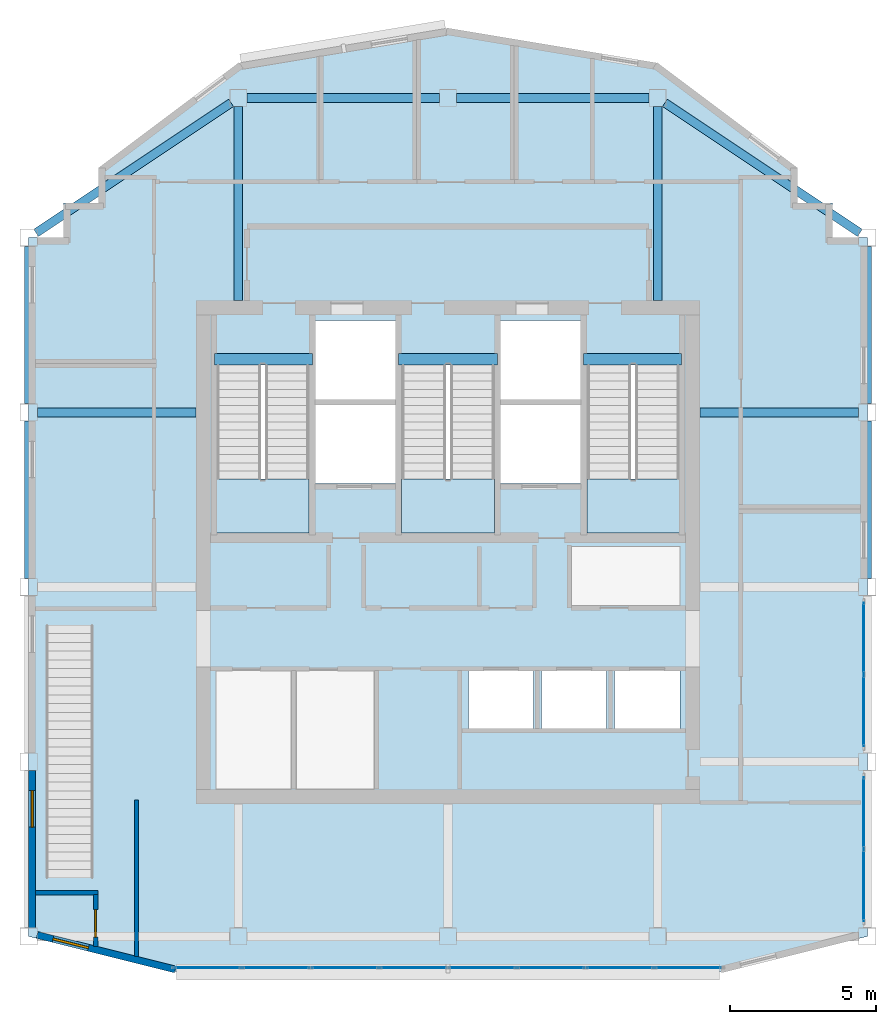
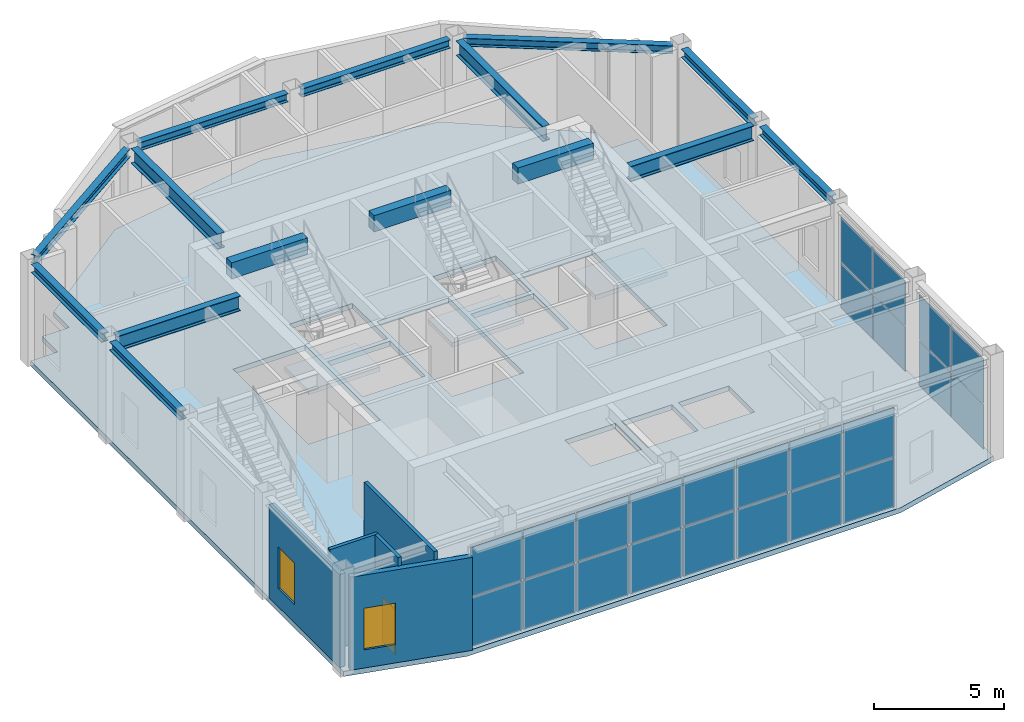
# One storey, part 6 of 11: 24 plates, 15 beams, 5 walls, 4 slabs, 2 windows, 1 door, 3 openings, 6 elements without a shape of their own.
"""IFC4 building model written with IfcOpenShell, lengths in metres."""

from ifc_helpers import new_model, si_unit, direction, frame, frame_2d, origin, origin_2d, place, context, subcontext, project, spatial, polyline, rectangle, i_section, outline, extrude, material, layer, layer_set, material_profile, profile_set, type_object, element, fill, aggregate, save


model = new_model("IFC4")

# Units and contexts
model_context = context("Model", 3, precision=1e-05, world=origin(), true_north=direction((0.0, 1.0)))
body_context = subcontext(model_context, "Body", "Model", "MODEL_VIEW")
ifc_project = project(units=[si_unit("LENGTHUNIT", "METRE"), si_unit("AREAUNIT", "SQUARE_METRE"), si_unit("VOLUMEUNIT", "CUBIC_METRE"), si_unit("PLANEANGLEUNIT", "RADIAN"), si_unit("MASSUNIT", "GRAM", prefix="KILO")], contexts=[model_context])

# Site, building, storey
site_placement = place(None, origin())
site = spatial("IfcSite", under=ifc_project, at=site_placement, CompositionType="ELEMENT")
building_placement = place(site_placement, origin())
building = spatial("IfcBuilding", under=site, at=building_placement, Name="Haolan Belvedere Tower", CompositionType="ELEMENT")
storey_placement = place(building_placement, frame((0.0, 0.0, 318.199951171875)))
storey = spatial("IfcBuildingStorey", under=building, at=storey_placement, Name="L80", CompositionType="ELEMENT", Elevation=318.199951171875)

# Beams
ifc_material_1 = material(Name="Steel Q355B", Category="steel")
ifc_material_profile_1 = material_profile(ifc_material_1, i_section(OverallWidth=0.300048828125, OverallDepth=0.389892578125, WebThickness=0.010009765625, FlangeThickness=0.01611328125, FilletRadius=0.02197265625, at=origin_2d()), Name="Steel Q355B")
ifc_profile_set_1 = profile_set([ifc_material_profile_1], Name="Steel Q355B")
beam_type_1 = type_object("IfcBeamType", Name="BM-HM390x300x10x16", PredefinedType="SPANDREL", material=ifc_profile_set_1)
for number, where, z_axis, x_axis, name in (
    (1, (24.0, 33.89990234375, 4.56494140625), (0.0, 1.0, 0.0), (-1.0, 0.0, 0.0), "L80 spandrel girder MC-T3-MW-TC-T3-W2"),
    (2, (24.0, 39.89990234375, 4.56494140625), (0.0, 1.0, 0.0), (-1.0, 0.0, 0.0), "L80 spandrel girder TC-T3-W2-MC-T3-NW"),
    (3, (52.800048828125, 33.89990234375, 4.56494140625), (0.0, 1.0, 0.0), (-1.0, 0.0, 0.0), "L80 spandrel girder MC-T3-ME-TC-T3-E2"),
    (4, (52.800048828125, 39.89990234375, 4.56494140625), (0.0, 1.0, 0.0), (-1.0, 0.0, 0.0), "L80 spandrel girder TC-T3-E2-MC-T3-NE"),
):
    element("IfcBeam", number, at=place(storey_placement, frame(where, z_axis=z_axis, x_axis=x_axis)), inside=storey, type_object=beam_type_1, Name=name, PredefinedType="SPANDREL", context=body_context, shape_type="SweptSolid", body=[
        extrude(i_section(OverallWidth=0.300048828125, OverallDepth=0.389892578125, WebThickness=0.010009765625, FlangeThickness=0.01611328125, FilletRadius=0.02197265625, at=origin_2d()), origin(), (0.0, 0.0, 1.0), 5.400146484375),
    ])
beam_1_placement = place(storey_placement, frame((24.24951171875, 45.766357421875, 4.56494140625), z_axis=(0.832050294338, 0.554700196225, 0.0), x_axis=(-0.554700196225, 0.832050294338, 0.0)))
element("IfcBeam", 5, at=beam_1_placement, inside=storey, type_object=beam_type_1, Name="L80 spandrel girder MC-T3-NW-MC-T3-N1", PredefinedType="SPANDREL", context=body_context, shape_type="SweptSolid", body=[
    extrude(i_section(OverallWidth=0.300048828125, OverallDepth=0.389892578125, WebThickness=0.010009765625, FlangeThickness=0.01611328125, FilletRadius=0.02197265625, at=origin_2d()), origin(), (0.0, 0.0, 1.0), 8.053466796875),
])
for number, where, z_axis, x_axis, name in (
    (6, (31.5, 50.39990234375, 4.56494140625), (1.0, 0.0, 0.0), (0.0, 1.0, 0.0), "L80 spandrel girder MC-T3-N1-TC-T3-NM"),
    (7, (38.699951171875, 50.39990234375, 4.56494140625), (1.0, 0.0, 0.0), (0.0, 1.0, 0.0), "L80 spandrel girder TC-T3-NM-MC-T3-N2"),
):
    element("IfcBeam", number, at=place(storey_placement, frame(where, z_axis=z_axis, x_axis=x_axis)), inside=storey, type_object=beam_type_1, Name=name, PredefinedType="SPANDREL", context=body_context, shape_type="SweptSolid", body=[
        extrude(i_section(OverallWidth=0.300048828125, OverallDepth=0.389892578125, WebThickness=0.010009765625, FlangeThickness=0.01611328125, FilletRadius=0.02197265625, at=origin_2d()), origin(), (0.0, 0.0, 1.0), 6.60009765625),
    ])
beam_2_placement = place(storey_placement, frame((45.849609375, 50.233642578125, 4.56494140625), z_axis=(0.832040966354, -0.554714187946, 0.0), x_axis=(0.554714187946, 0.832040966354, 0.0)))
element("IfcBeam", 8, at=beam_2_placement, inside=storey, type_object=beam_type_1, Name="L80 spandrel girder MC-T3-N2-MC-T3-NE", PredefinedType="SPANDREL", context=body_context, shape_type="SweptSolid", body=[
    extrude(i_section(OverallWidth=0.300048828125, OverallDepth=0.389892578125, WebThickness=0.010009765625, FlangeThickness=0.01611328125, FilletRadius=0.02197265625, at=origin_2d()), origin(), (0.0, 0.0, 1.0), 8.05322265625),
])
ifc_material_profile_2 = material_profile(ifc_material_1, i_section(OverallWidth=0.300048828125, OverallDepth=0.699951171875, WebThickness=0.012939453125, FlangeThickness=0.02392578125, FilletRadius=0.02587890625, at=origin_2d()), Name="Steel Q355B")
ifc_profile_set_2 = profile_set([ifc_material_profile_2], Name="Steel Q355B")
beam_type_2 = type_object("IfcBeamType", Name="BM-HN700x300x13x24", PredefinedType="BEAM", material=ifc_profile_set_2)
for number, where, z_axis, x_axis, name in (
    (9, (24.300048828125, 39.60009765625, 4.41015625), (1.0, 0.0, 0.0), (0.0, 1.0, 0.0), "L80 core tie beam from TC-T3-W2"),
    (10, (52.5, 39.60009765625, 4.41015625), (-1.0, 0.0, 0.0), (0.0, -1.0, 0.0), "L80 core tie beam from TC-T3-E2"),
):
    element("IfcBeam", number, at=place(storey_placement, frame(where, z_axis=z_axis, x_axis=x_axis)), inside=storey, type_object=beam_type_2, Name=name, PredefinedType="BEAM", context=body_context, shape_type="SweptSolid", body=[
        extrude(i_section(OverallWidth=0.300048828125, OverallDepth=0.699951171875, WebThickness=0.012939453125, FlangeThickness=0.02392578125, FilletRadius=0.02587890625, at=origin_2d()), origin(), (0.0, 0.0, 1.0), 5.449951171875),
    ])
for number, where, z_axis, x_axis, name in (
    (11, (31.199951171875, 50.10009765625, 4.41015625), (0.0, -1.0, 0.0), (1.0, 0.0, 0.0), "L80 core tie beam from MC-T3-N1"),
    (12, (45.60009765625, 50.10009765625, 4.41015625), (0.0, -1.0, 0.0), (1.0, 0.0, 0.0), "L80 core tie beam from MC-T3-N2"),
):
    element("IfcBeam", number, at=place(storey_placement, frame(where, z_axis=z_axis, x_axis=x_axis)), inside=storey, type_object=beam_type_2, Name=name, PredefinedType="BEAM", context=body_context, shape_type="SweptSolid", body=[
        extrude(i_section(OverallWidth=0.300048828125, OverallDepth=0.699951171875, WebThickness=0.012939453125, FlangeThickness=0.02392578125, FilletRadius=0.02587890625, at=origin_2d()), origin(), (0.0, 0.0, 1.0), 6.650146484375),
    ])
ifc_material_2 = material(Name="Concrete C50/60", Category="concrete")
ifc_material_profile_3 = material_profile(ifc_material_2, rectangle(XDim=0.39990234375, YDim=0.75, at=origin_2d()), Name="Concrete C50/60")
ifc_profile_set_3 = profile_set([ifc_material_profile_3], Name="Concrete C50/60")
beam_type_3 = type_object("IfcBeamType", Name="BM-RC400x750", PredefinedType="T_BEAM", material=ifc_profile_set_3)
beam_3_placement = place(storey_placement, frame((30.3798828125, 41.429931640625, 4.625), z_axis=(1.0, 0.0, 0.0), x_axis=(0.0, 1.0, 0.0)))
element("IfcBeam", 13, at=beam_3_placement, inside=storey, type_object=beam_type_3, Name="L81 stair ST1 RC header trimmer beam", PredefinedType="BEAM", context=body_context, shape_type="SweptSolid", body=[
    extrude(rectangle(XDim=0.39990234375, YDim=0.75, at=origin_2d()), origin(), (0.0, 0.0, 1.0), 3.360107421875),
])
beam_4_placement = place(storey_placement, frame((36.699951171875, 41.429931640625, 4.625), z_axis=(1.0, 0.0, 0.0), x_axis=(0.0, 1.0, 0.0)))
element("IfcBeam", 14, at=beam_4_placement, inside=storey, type_object=beam_type_3, Name="L81 stair ST3 RC header trimmer beam", PredefinedType="BEAM", context=body_context, shape_type="SweptSolid", body=[
    extrude(rectangle(XDim=0.39990234375, YDim=0.75, at=origin_2d()), origin(), (0.0, 0.0, 1.0), 3.400146484375),
])
beam_5_placement = place(storey_placement, frame((43.06005859375, 41.429931640625, 4.625), z_axis=(1.0, 0.0, 0.0), x_axis=(0.0, 1.0, 0.0)))
element("IfcBeam", 15, at=beam_5_placement, inside=storey, type_object=beam_type_3, Name="L81 stair ST2 RC header trimmer beam", PredefinedType="BEAM", context=body_context, shape_type="SweptSolid", body=[
    extrude(rectangle(XDim=0.39990234375, YDim=0.75, at=origin_2d()), origin(), (0.0, 0.0, 1.0), 3.35986328125),
])

# Curtain wall, plates
ifc_material_3 = material(Name="Anodised champagne-silver aluminium 6063-T6 and Low-E glass", Category="aluminium")
ifc_layer_1 = layer(ifc_material_3, 0.195068359375, Name="Anodised champagne-silver aluminium 6063-T6 and Low-E glass")
ifc_layer_set_1 = layer_set([ifc_layer_1], Name="Anodised champagne-silver aluminium 6063-T6 and Low-E glass")
curtain_wall_type = type_object("IfcCurtainWallType", Name="CW-SYS-06", PredefinedType="NOTDEFINED", material=ifc_layer_set_1)
curtain_wall_1_placement = place(storey_placement, origin())
curtain_wall_1 = element("IfcCurtainWall", 16, at=curtain_wall_1_placement, inside=storey, type_object=curtain_wall_type, Name="L80 CW-SYS-06 ribbon curtain wall 1.1", PredefinedType="NOTDEFINED")
ifc_material_4 = material(Name="Double silver Low-E laminated insulating glass", Category="glass")
ifc_layer_2 = layer(ifc_material_4, 0.031982421875, Name="Double silver Low-E laminated insulating glass")
ifc_layer_set_2 = layer_set([ifc_layer_2], Name="Double silver Low-E laminated insulating glass")
plate_type = type_object("IfcPlateType", Name="CW-SYS-06-PNL", PredefinedType="CURTAIN_PANEL", material=ifc_layer_set_2)
plate_1_placement = place(storey_placement, frame((30.15283203125, 20.52001953125, 0.06494140625), z_axis=(0.0, 0.0, 1.0), x_axis=(1.0, 0.0, 0.0)))
plate_1 = element("IfcPlate", 17, at=plate_1_placement, type_object=plate_type, Name="CW-06 panel 1.1", PredefinedType="CURTAIN_PANEL", context=body_context, shape_type="SweptSolid", body=[
    extrude(rectangle(XDim=2.25634765625, YDim=0.031982421875, at=origin_2d()), origin(), (0.0, 0.0, 1.0), 2.282470703125),
])
plate_2_placement = place(storey_placement, frame((30.15283203125, 20.52001953125, 2.41259765625), z_axis=(0.0, 0.0, 1.0), x_axis=(1.0, 0.0, 0.0)))
plate_2 = element("IfcPlate", 18, at=plate_2_placement, type_object=plate_type, Name="CW-06 panel 1.2", PredefinedType="CURTAIN_PANEL", context=body_context, shape_type="SweptSolid", body=[
    extrude(rectangle(XDim=2.25634765625, YDim=0.031982421875, at=origin_2d()), origin(), (0.0, 0.0, 1.0), 2.282470703125),
])
plate_3_placement = place(storey_placement, frame((32.496826171875, 20.52001953125, 0.06494140625), z_axis=(0.0, 0.0, 1.0), x_axis=(1.0, 0.0, 0.0)))
plate_3 = element("IfcPlate", 19, at=plate_3_placement, type_object=plate_type, Name="CW-06 panel 2.1", PredefinedType="CURTAIN_PANEL", context=body_context, shape_type="SweptSolid", body=[
    extrude(rectangle(XDim=2.291259765625, YDim=0.031982421875, at=origin_2d()), origin(), (0.0, 0.0, 1.0), 2.282470703125),
])
plate_4_placement = place(storey_placement, frame((32.496826171875, 20.52001953125, 2.41259765625), z_axis=(0.0, 0.0, 1.0), x_axis=(1.0, 0.0, 0.0)))
plate_4 = element("IfcPlate", 20, at=plate_4_placement, type_object=plate_type, Name="CW-06 panel 2.2", PredefinedType="CURTAIN_PANEL", context=body_context, shape_type="SweptSolid", body=[
    extrude(rectangle(XDim=2.291259765625, YDim=0.031982421875, at=origin_2d()), origin(), (0.0, 0.0, 1.0), 2.282470703125),
])
plate_5_placement = place(storey_placement, frame((34.858154296875, 20.52001953125, 0.06494140625), z_axis=(0.0, 0.0, 1.0), x_axis=(1.0, 0.0, 0.0)))
plate_5 = element("IfcPlate", 21, at=plate_5_placement, type_object=plate_type, Name="CW-06 panel 3.1", PredefinedType="CURTAIN_PANEL", context=body_context, shape_type="SweptSolid", body=[
    extrude(rectangle(XDim=2.291259765625, YDim=0.031982421875, at=origin_2d()), origin(), (0.0, 0.0, 1.0), 2.282470703125),
])
plate_6_placement = place(storey_placement, frame((34.858154296875, 20.52001953125, 2.41259765625), z_axis=(0.0, 0.0, 1.0), x_axis=(1.0, 0.0, 0.0)))
plate_6 = element("IfcPlate", 22, at=plate_6_placement, type_object=plate_type, Name="CW-06 panel 3.2", PredefinedType="CURTAIN_PANEL", context=body_context, shape_type="SweptSolid", body=[
    extrude(rectangle(XDim=2.291259765625, YDim=0.031982421875, at=origin_2d()), origin(), (0.0, 0.0, 1.0), 2.282470703125),
])
plate_7_placement = place(storey_placement, frame((37.21923828125, 20.52001953125, 0.06494140625), z_axis=(0.0, 0.0, 1.0), x_axis=(1.0, 0.0, 0.0)))
plate_7 = element("IfcPlate", 23, at=plate_7_placement, type_object=plate_type, Name="CW-06 panel 4.1", PredefinedType="CURTAIN_PANEL", context=body_context, shape_type="SweptSolid", body=[
    extrude(rectangle(XDim=2.291259765625, YDim=0.031982421875, at=origin_2d()), origin(), (0.0, 0.0, 1.0), 2.282470703125),
])
plate_8_placement = place(storey_placement, frame((37.21923828125, 20.52001953125, 2.41259765625), z_axis=(0.0, 0.0, 1.0), x_axis=(1.0, 0.0, 0.0)))
plate_8 = element("IfcPlate", 24, at=plate_8_placement, type_object=plate_type, Name="CW-06 panel 4.2", PredefinedType="CURTAIN_PANEL", context=body_context, shape_type="SweptSolid", body=[
    extrude(rectangle(XDim=2.291259765625, YDim=0.031982421875, at=origin_2d()), origin(), (0.0, 0.0, 1.0), 2.282470703125),
])
plate_9_placement = place(storey_placement, frame((39.58056640625, 20.52001953125, 0.06494140625), z_axis=(0.0, 0.0, 1.0), x_axis=(1.0, 0.0, 0.0)))
plate_9 = element("IfcPlate", 25, at=plate_9_placement, type_object=plate_type, Name="CW-06 panel 5.1", PredefinedType="CURTAIN_PANEL", context=body_context, shape_type="SweptSolid", body=[
    extrude(rectangle(XDim=2.291259765625, YDim=0.031982421875, at=origin_2d()), origin(), (0.0, 0.0, 1.0), 2.282470703125),
])
plate_10_placement = place(storey_placement, frame((39.58056640625, 20.52001953125, 2.41259765625), z_axis=(0.0, 0.0, 1.0), x_axis=(1.0, 0.0, 0.0)))
plate_10 = element("IfcPlate", 26, at=plate_10_placement, type_object=plate_type, Name="CW-06 panel 5.2", PredefinedType="CURTAIN_PANEL", context=body_context, shape_type="SweptSolid", body=[
    extrude(rectangle(XDim=2.291259765625, YDim=0.031982421875, at=origin_2d()), origin(), (0.0, 0.0, 1.0), 2.282470703125),
])
plate_11_placement = place(storey_placement, frame((41.94189453125, 20.52001953125, 0.06494140625), z_axis=(0.0, 0.0, 1.0), x_axis=(1.0, 0.0, 0.0)))
plate_11 = element("IfcPlate", 27, at=plate_11_placement, type_object=plate_type, Name="CW-06 panel 6.1", PredefinedType="CURTAIN_PANEL", context=body_context, shape_type="SweptSolid", body=[
    extrude(rectangle(XDim=2.291259765625, YDim=0.031982421875, at=origin_2d()), origin(), (0.0, 0.0, 1.0), 2.282470703125),
])
plate_12_placement = place(storey_placement, frame((41.94189453125, 20.52001953125, 2.41259765625), z_axis=(0.0, 0.0, 1.0), x_axis=(1.0, 0.0, 0.0)))
plate_12 = element("IfcPlate", 28, at=plate_12_placement, type_object=plate_type, Name="CW-06 panel 6.2", PredefinedType="CURTAIN_PANEL", context=body_context, shape_type="SweptSolid", body=[
    extrude(rectangle(XDim=2.291259765625, YDim=0.031982421875, at=origin_2d()), origin(), (0.0, 0.0, 1.0), 2.282470703125),
])
plate_13_placement = place(storey_placement, frame((44.30322265625, 20.52001953125, 0.06494140625), z_axis=(0.0, 0.0, 1.0), x_axis=(1.0, 0.0, 0.0)))
plate_13 = element("IfcPlate", 29, at=plate_13_placement, type_object=plate_type, Name="CW-06 panel 7.1", PredefinedType="CURTAIN_PANEL", context=body_context, shape_type="SweptSolid", body=[
    extrude(rectangle(XDim=2.291259765625, YDim=0.031982421875, at=origin_2d()), origin(), (0.0, 0.0, 1.0), 2.282470703125),
])
plate_14_placement = place(storey_placement, frame((44.30322265625, 20.52001953125, 2.41259765625), z_axis=(0.0, 0.0, 1.0), x_axis=(1.0, 0.0, 0.0)))
plate_14 = element("IfcPlate", 30, at=plate_14_placement, type_object=plate_type, Name="CW-06 panel 7.2", PredefinedType="CURTAIN_PANEL", context=body_context, shape_type="SweptSolid", body=[
    extrude(rectangle(XDim=2.291259765625, YDim=0.031982421875, at=origin_2d()), origin(), (0.0, 0.0, 1.0), 2.282470703125),
])
plate_15_placement = place(storey_placement, frame((46.64697265625, 20.52001953125, 0.06494140625), z_axis=(0.0, 0.0, 1.0), x_axis=(1.0, 0.0, 0.0)))
plate_15 = element("IfcPlate", 31, at=plate_15_placement, type_object=plate_type, Name="CW-06 panel 8.1", PredefinedType="CURTAIN_PANEL", context=body_context, shape_type="SweptSolid", body=[
    extrude(rectangle(XDim=2.25634765625, YDim=0.031982421875, at=origin_2d()), origin(), (0.0, 0.0, 1.0), 2.282470703125),
])
plate_16_placement = place(storey_placement, frame((46.64697265625, 20.52001953125, 2.41259765625), z_axis=(0.0, 0.0, 1.0), x_axis=(1.0, 0.0, 0.0)))
plate_16 = element("IfcPlate", 32, at=plate_16_placement, type_object=plate_type, Name="CW-06 panel 8.2", PredefinedType="CURTAIN_PANEL", context=body_context, shape_type="SweptSolid", body=[
    extrude(rectangle(XDim=2.25634765625, YDim=0.031982421875, at=origin_2d()), origin(), (0.0, 0.0, 1.0), 2.282470703125),
])
aggregate(curtain_wall_1, [plate_1, plate_2, plate_3, plate_4, plate_5, plate_6, plate_7, plate_8, plate_9, plate_10, plate_11, plate_12, plate_13, plate_14, plate_15, plate_16])

curtain_wall_2_placement = place(storey_placement, origin())
curtain_wall_2 = element("IfcCurtainWall", 33, at=curtain_wall_2_placement, inside=storey, type_object=curtain_wall_type, Name="L80 CW-SYS-06 ribbon curtain wall 3.1", PredefinedType="NOTDEFINED")
plate_17_placement = place(storey_placement, frame((52.679931640625, 23.347412109375, 0.06494140625), z_axis=(0.0, 0.0, 1.0), x_axis=(0.0, 1.0, 0.0)))
plate_17 = element("IfcPlate", 34, at=plate_17_placement, type_object=plate_type, Name="CW-06 panel 1.1", PredefinedType="CURTAIN_PANEL", context=body_context, shape_type="SweptSolid", body=[
    extrude(rectangle(XDim=2.43505859375, YDim=0.031982421875, at=origin_2d()), origin(), (0.0, 0.0, 1.0), 2.080078125),
])
plate_18_placement = place(storey_placement, frame((52.679931640625, 23.347412109375, 2.2099609375), z_axis=(0.0, 0.0, 1.0), x_axis=(0.0, 1.0, 0.0)))
plate_18 = element("IfcPlate", 35, at=plate_18_placement, type_object=plate_type, Name="CW-06 panel 1.2", PredefinedType="CURTAIN_PANEL", context=body_context, shape_type="SweptSolid", body=[
    extrude(rectangle(XDim=2.43505859375, YDim=0.031982421875, at=origin_2d()), origin(), (0.0, 0.0, 1.0), 2.080078125),
])
plate_19_placement = place(storey_placement, frame((52.679931640625, 25.8525390625, 0.06494140625), z_axis=(0.0, 0.0, 1.0), x_axis=(0.0, 1.0, 0.0)))
plate_19 = element("IfcPlate", 36, at=plate_19_placement, type_object=plate_type, Name="CW-06 panel 2.1", PredefinedType="CURTAIN_PANEL", context=body_context, shape_type="SweptSolid", body=[
    extrude(rectangle(XDim=2.43505859375, YDim=0.031982421875, at=origin_2d()), origin(), (0.0, 0.0, 1.0), 2.080078125),
])
plate_20_placement = place(storey_placement, frame((52.679931640625, 25.8525390625, 2.2099609375), z_axis=(0.0, 0.0, 1.0), x_axis=(0.0, 1.0, 0.0)))
plate_20 = element("IfcPlate", 37, at=plate_20_placement, type_object=plate_type, Name="CW-06 panel 2.2", PredefinedType="CURTAIN_PANEL", context=body_context, shape_type="SweptSolid", body=[
    extrude(rectangle(XDim=2.43505859375, YDim=0.031982421875, at=origin_2d()), origin(), (0.0, 0.0, 1.0), 2.080078125),
])
aggregate(curtain_wall_2, [plate_17, plate_18, plate_19, plate_20])

curtain_wall_3_placement = place(storey_placement, origin())
curtain_wall_3 = element("IfcCurtainWall", 38, at=curtain_wall_3_placement, inside=storey, type_object=curtain_wall_type, Name="L80 CW-SYS-06 ribbon curtain wall 3.2", PredefinedType="NOTDEFINED")
plate_21_placement = place(storey_placement, frame((52.679931640625, 29.347412109375, 0.06494140625), z_axis=(0.0, 0.0, 1.0), x_axis=(0.0, 1.0, 0.0)))
plate_21 = element("IfcPlate", 39, at=plate_21_placement, type_object=plate_type, Name="CW-06 panel 1.1", PredefinedType="CURTAIN_PANEL", context=body_context, shape_type="SweptSolid", body=[
    extrude(rectangle(XDim=2.43505859375, YDim=0.031982421875, at=origin_2d()), origin(), (0.0, 0.0, 1.0), 2.080078125),
])
plate_22_placement = place(storey_placement, frame((52.679931640625, 29.347412109375, 2.2099609375), z_axis=(0.0, 0.0, 1.0), x_axis=(0.0, 1.0, 0.0)))
plate_22 = element("IfcPlate", 40, at=plate_22_placement, type_object=plate_type, Name="CW-06 panel 1.2", PredefinedType="CURTAIN_PANEL", context=body_context, shape_type="SweptSolid", body=[
    extrude(rectangle(XDim=2.43505859375, YDim=0.031982421875, at=origin_2d()), origin(), (0.0, 0.0, 1.0), 2.080078125),
])
plate_23_placement = place(storey_placement, frame((52.679931640625, 31.8525390625, 0.06494140625), z_axis=(0.0, 0.0, 1.0), x_axis=(0.0, 1.0, 0.0)))
plate_23 = element("IfcPlate", 41, at=plate_23_placement, type_object=plate_type, Name="CW-06 panel 2.1", PredefinedType="CURTAIN_PANEL", context=body_context, shape_type="SweptSolid", body=[
    extrude(rectangle(XDim=2.43505859375, YDim=0.031982421875, at=origin_2d()), origin(), (0.0, 0.0, 1.0), 2.080078125),
])
plate_24_placement = place(storey_placement, frame((52.679931640625, 31.8525390625, 2.2099609375), z_axis=(0.0, 0.0, 1.0), x_axis=(0.0, 1.0, 0.0)))
plate_24 = element("IfcPlate", 42, at=plate_24_placement, type_object=plate_type, Name="CW-06 panel 2.2", PredefinedType="CURTAIN_PANEL", context=body_context, shape_type="SweptSolid", body=[
    extrude(rectangle(XDim=2.43505859375, YDim=0.031982421875, at=origin_2d()), origin(), (0.0, 0.0, 1.0), 2.080078125),
])
aggregate(curtain_wall_3, [plate_21, plate_22, plate_23, plate_24])

# Slab
ifc_material_5 = material(Name="Concrete C40/50", Category="concrete")
ifc_layer_3 = layer(ifc_material_5, 0.239990234375, Name="Concrete C40/50")
ifc_layer_set_3 = layer_set([ifc_layer_3], Name="Concrete C40/50")
slab_type_1 = type_object("IfcSlabType", Name="SL-FLR-240", PredefinedType="FLOOR", material=ifc_layer_set_3)
slab_1_placement = place(storey_placement, frame((0.0, 0.0, -0.239990234375)))
element("IfcSlab", 43, at=slab_1_placement, inside=storey, type_object=slab_type_1, Name="L80 structural floor slab", PredefinedType="FLOOR", context=body_context, shape_type="SweptSolid", body=[
    extrude(outline(polyline([(24.0, 21.60009765625), (28.800048828125, 20.39990234375), (48.0, 20.39990234375), (52.800048828125, 21.60009765625), (52.800048828125, 45.60009765625), (52.800048828125, 45.60009765625), (51.60009765625, 45.60009765625), (51.60009765625, 46.800048828125), (50.39990234375, 46.800048828125), (50.39990234375, 48.0), (45.60009765625, 51.60009765625), (38.39990234375, 52.800048828125), (31.199951171875, 51.60009765625), (26.39990234375, 48.0), (26.39990234375, 46.800048828125), (25.199951171875, 46.800048828125), (25.199951171875, 45.60009765625), (24.0, 45.60009765625), (24.0, 45.60009765625), (24.0, 21.60009765625)]), holes=[polyline([(30.449951171875, 41.22998046875), (30.449951171875, 35.449951171875), (33.6298828125, 35.449951171875), (33.6298828125, 41.22998046875), (30.449951171875, 41.22998046875)]), polyline([(36.81005859375, 41.22998046875), (36.81005859375, 35.449951171875), (39.989990234375, 35.449951171875), (39.989990234375, 41.22998046875), (36.81005859375, 41.22998046875)]), polyline([(43.169921875, 41.22998046875), (43.169921875, 35.449951171875), (46.35009765625, 35.449951171875), (46.35009765625, 41.22998046875), (43.169921875, 41.22998046875)]), polyline([(33.830078125, 40.050048828125), (36.610107421875, 40.050048828125), (36.610107421875, 42.75), (33.830078125, 42.75), (33.830078125, 40.050048828125)]), polyline([(33.830078125, 37.14990234375), (36.610107421875, 37.14990234375), (36.610107421875, 39.85009765625), (33.830078125, 39.85009765625), (33.830078125, 37.14990234375)]), polyline([(40.18994140625, 40.050048828125), (42.969970703125, 40.050048828125), (42.969970703125, 42.75), (40.18994140625, 42.75), (40.18994140625, 40.050048828125)]), polyline([(40.18994140625, 37.14990234375), (42.969970703125, 37.14990234375), (42.969970703125, 39.85009765625), (40.18994140625, 39.85009765625), (40.18994140625, 37.14990234375)]), polyline([(39.10009765625, 28.75), (41.340087890625, 28.75), (41.340087890625, 30.75), (39.10009765625, 30.75), (39.10009765625, 28.75)]), polyline([(41.610107421875, 28.75), (43.85009765625, 28.75), (43.85009765625, 30.75), (41.610107421875, 30.75), (41.610107421875, 28.75)]), polyline([(44.1201171875, 28.75), (46.360107421875, 28.75), (46.360107421875, 30.75), (44.1201171875, 30.75), (44.1201171875, 28.75)])]), origin(), (0.0, 0.0, 1.0), 0.239990234375),
])

# Stair, slab
stair_type = type_object("IfcStairType", Name="STR-DL-30R-167", PredefinedType="HALF_TURN_STAIR", material=ifc_material_5)
stair_1_placement = place(storey_placement, origin())
stair_1 = element("IfcStair", 44, at=stair_1_placement, inside=storey, type_object=stair_type, Name="L80 Smokeproof Core Exit Stair ST1", PredefinedType="HALF_TURN_STAIR")
ifc_layer_4 = layer(ifc_material_5, 0.199951171875, Name="Concrete C40/50")
ifc_layer_set_4 = layer_set([ifc_layer_4], Name="Concrete C40/50")
slab_type_2 = type_object("IfcSlabType", Name="SL-LAND-200", PredefinedType="LANDING", material=ifc_layer_set_4)
slab_2_placement = place(storey_placement, frame((0.0, 0.0, 2.300048828125)))
slab_2 = element("IfcSlab", 45, at=slab_2_placement, type_object=slab_type_2, Name="ST1 landing 1", PredefinedType="LANDING", context=body_context, shape_type="SweptSolid", body=[
    extrude(outline(polyline([(30.449951171875, 37.31005859375), (30.449951171875, 35.449951171875), (33.6298828125, 35.449951171875), (33.6298828125, 37.31005859375), (30.449951171875, 37.31005859375)])), origin(), (0.0, 0.0, 1.0), 0.199951171875),
])
aggregate(stair_1, [slab_2])

stair_2_placement = place(storey_placement, origin())
stair_2 = element("IfcStair", 46, at=stair_2_placement, inside=storey, type_object=stair_type, Name="L80 Smokeproof Core Exit Stair ST3", PredefinedType="HALF_TURN_STAIR")
slab_3_placement = place(storey_placement, frame((0.0, 0.0, 2.300048828125)))
slab_3 = element("IfcSlab", 47, at=slab_3_placement, type_object=slab_type_2, Name="ST3 landing 1", PredefinedType="LANDING", context=body_context, shape_type="SweptSolid", body=[
    extrude(outline(polyline([(36.81005859375, 37.31005859375), (36.81005859375, 35.449951171875), (39.989990234375, 35.449951171875), (39.989990234375, 37.31005859375), (36.81005859375, 37.31005859375)])), origin(), (0.0, 0.0, 1.0), 0.199951171875),
])
aggregate(stair_2, [slab_3])

stair_3_placement = place(storey_placement, origin())
stair_3 = element("IfcStair", 48, at=stair_3_placement, inside=storey, type_object=stair_type, Name="L80 Smokeproof Core Exit Stair ST2", PredefinedType="HALF_TURN_STAIR")
slab_4_placement = place(storey_placement, frame((0.0, 0.0, 2.300048828125)))
slab_4 = element("IfcSlab", 49, at=slab_4_placement, type_object=slab_type_2, Name="ST2 landing 1", PredefinedType="LANDING", context=body_context, shape_type="SweptSolid", body=[
    extrude(outline(polyline([(43.169921875, 37.31005859375), (43.169921875, 35.449951171875), (46.35009765625, 35.449951171875), (46.35009765625, 37.31005859375), (43.169921875, 37.31005859375)])), origin(), (0.0, 0.0, 1.0), 0.199951171875),
])
aggregate(stair_3, [slab_4])

# Wall, opening, window
ifc_material_6 = material(Name="Precast concrete C40/50", Category="concrete")
ifc_layer_5 = layer(ifc_material_6, 0.239990234375, Name="Precast concrete C40/50")
ifc_layer_set_5 = layer_set([ifc_layer_5], Name="Precast concrete C40/50")
wall_type_1 = type_object("IfcWallType", Name="WL-EXT-240", PredefinedType="SOLIDWALL", material=ifc_layer_set_5)
wall_1_placement = place(storey_placement, frame((24.1201171875, 27.30810546875, 0.0), z_axis=(0.0, 0.0, 1.0), x_axis=(0.0, -1.0, 0.0)))
wall_1 = element("IfcWall", 50, at=wall_1_placement, inside=storey, type_object=wall_type_1, Name="L80 pale-metal exterior spandrel wall 16.4", PredefinedType="SOLIDWALL", context=body_context, shape_type="SweptSolid", body=[
    extrude(rectangle(XDim=5.416015625, YDim=0.239990234375, at=frame_2d((2.7080078125, 0.0))), origin(), (0.0, 0.0, 1.0), 4.35498046875),
])
opening_1_placement = place(wall_1_placement, frame((0.699951171875, 0.0, 0.85009765625)))
opening_1 = element("IfcOpeningElement", 51, at=opening_1_placement, cuts=wall_1, Name="Opening W-04", PredefinedType="OPENING", context=body_context, shape_type="SweptSolid", body=[
    extrude(rectangle(XDim=1.25, YDim=1.949951171875, at=frame_2d((0.625, 0.97509765625))), frame((0.0, 0.1298828125, 0.0), z_axis=(0.0, -1.0, 0.0), x_axis=(1.0, 0.0, 0.0)), (0.0, 0.0, 1.0), 0.260009765625),
])
ifc_material_7 = material(Name="Anodised aluminium 6063-T6 and Low-E glass", Category="aluminium")
window_type = type_object("IfcWindowType", Name="WN-DECO-Z4", PartitioningType="SINGLE_PANEL", PredefinedType="WINDOW", material=ifc_material_7)
window_1_placement = place(opening_1_placement, origin())
window_1 = element("IfcWindow", 52, at=window_1_placement, inside=storey, type_object=window_type, Name="L80 Art Deco chevron window 1", OverallHeight=1.949951171875, OverallWidth=1.25, PartitioningType="SINGLE_PANEL", PredefinedType="WINDOW", context=body_context, shape_type="SweptSolid", body=[
    extrude(rectangle(XDim=1.25, YDim=1.949951171875, at=frame_2d((0.625, 0.97509765625))), frame((0.0, 0.030029296875, 0.0), z_axis=(0.0, -1.0, 0.0), x_axis=(1.0, 0.0, 0.0)), (0.0, 0.0, 1.0), 0.06005859375),
])
fill(opening_1, window_1)

wall_2_placement = place(storey_placement, frame((24.2919921875, 21.650634765625, 0.0), z_axis=(0.0, 0.0, 1.0), x_axis=(0.970142500145, -0.242535625036, 0.0)))
wall_2 = element("IfcWall", 53, at=wall_2_placement, inside=storey, type_object=wall_type_1, Name="L80 pale-metal exterior spandrel wall 17.1", PredefinedType="SOLIDWALL", context=body_context, shape_type="SweptSolid", body=[
    extrude(rectangle(XDim=4.88720703125, YDim=0.239990234375, at=frame_2d((2.443603515625, 0.0))), origin(), (0.0, 0.0, 1.0), 4.35498046875),
])
opening_2_placement = place(wall_2_placement, frame((0.55859375, 0.0, 0.85009765625)))
opening_2 = element("IfcOpeningElement", 54, at=opening_2_placement, cuts=wall_2, Name="Opening W-04", PredefinedType="OPENING", context=body_context, shape_type="SweptSolid", body=[
    extrude(rectangle(XDim=1.25, YDim=1.949951171875, at=frame_2d((0.625, 0.97509765625))), frame((0.0, 0.1298828125, 0.0), z_axis=(0.0, -1.0, 0.0), x_axis=(1.0, 0.0, 0.0)), (0.0, 0.0, 1.0), 0.260009765625),
])
window_2_placement = place(opening_2_placement, origin())
window_2 = element("IfcWindow", 55, at=window_2_placement, inside=storey, type_object=window_type, Name="L80 Art Deco chevron window 1", OverallHeight=1.949951171875, OverallWidth=1.25, PartitioningType="SINGLE_PANEL", PredefinedType="WINDOW", context=body_context, shape_type="SweptSolid", body=[
    extrude(rectangle(XDim=1.25, YDim=1.949951171875, at=frame_2d((0.625, 0.97509765625))), frame((0.0, 0.030029296875, 0.0), z_axis=(0.0, -1.0, 0.0), x_axis=(1.0, 0.0, 0.0)), (0.0, 0.0, 1.0), 0.06005859375),
])
fill(opening_2, window_2)

# Walls
ifc_material_8 = material(Name="Double gypsum acoustic stud partition", Category="masonry")
ifc_layer_6 = layer(ifc_material_8, 0.14990234375, Name="Double gypsum acoustic stud partition")
ifc_layer_set_6 = layer_set([ifc_layer_6], Name="Double gypsum acoustic stud partition")
wall_type_2 = type_object("IfcWallType", Name="WL-PART-150", PredefinedType="PARTITIONING", material=ifc_layer_set_6)
wall_3_placement = place(storey_placement, frame((27.699951171875, 20.906982421875, 0.0), z_axis=(0.0, 0.0, 1.0), x_axis=(0.0, 1.0, 0.0)))
element("IfcWall", 56, at=wall_3_placement, inside=storey, type_object=wall_type_2, Name="L80 interior partition IW-L80-OBSG-W", PredefinedType="PARTITIONING", context=body_context, shape_type="SweptSolid", body=[
    extrude(rectangle(XDim=5.373046875, YDim=0.14990234375, at=frame_2d((2.6865234375, 0.0))), origin(), (0.0, 0.0, 1.0), 4.760009765625),
])
wall_4_placement = place(storey_placement, frame((24.22509765625, 23.10009765625, 0.0), z_axis=(0.0, 0.0, 1.0), x_axis=(1.0, 0.0, 0.0)))
element("IfcWall", 57, at=wall_4_placement, inside=storey, type_object=wall_type_2, Name="L80 interior partition IW-L80-SWV80-N", PredefinedType="PARTITIONING", context=body_context, shape_type="SweptSolid", body=[
    extrude(rectangle(XDim=2.15478515625, YDim=0.14990234375, at=frame_2d((1.077392578125, 0.0))), origin(), (0.0, 0.0, 1.0), 4.760009765625),
])

# Wall, opening, door
wall_5_placement = place(storey_placement, frame((26.300048828125, 21.2568359375, 0.0), z_axis=(0.0, 0.0, 1.0), x_axis=(0.0, 1.0, 0.0)))
wall_5 = element("IfcWall", 58, at=wall_5_placement, inside=storey, type_object=wall_type_2, Name="L80 interior partition IW-L80-SWV80-E", PredefinedType="PARTITIONING", context=body_context, shape_type="SweptSolid", body=[
    extrude(rectangle(XDim=1.783203125, YDim=0.14990234375, at=frame_2d((0.8916015625, 0.0))), origin(), (0.0, 0.0, 1.0), 4.760009765625),
])
opening_3_placement = place(wall_5_placement, frame((1.2666015625, 0.0, 0.0), z_axis=(0.0, 0.0, 1.0), x_axis=(-1.0, 0.0, 0.0)))
opening_3 = element("IfcOpeningElement", 59, at=opening_3_placement, cuts=wall_5, Name="Opening ID-03", PredefinedType="OPENING", context=body_context, shape_type="SweptSolid", body=[
    extrude(rectangle(XDim=0.949951171875, YDim=2.1201171875, at=frame_2d((0.47509765625, 1.06005859375))), frame((0.0, 0.0849609375, 0.0), z_axis=(0.0, -1.0, 0.0), x_axis=(1.0, 0.0, 0.0)), (0.0, 0.0, 1.0), 0.169921875),
])
ifc_material_9 = material(Name="Painted solid-core timber", Category="wood")
door_type = type_object("IfcDoorType", Name="DR-INT-950", OperationType="NOTDEFINED", PredefinedType="DOOR", material=ifc_material_9)
door_placement = place(opening_3_placement, origin())
door = element("IfcDoor", 60, at=door_placement, inside=storey, type_object=door_type, Name="L80 door ID-L80-SWV80", OperationType="SINGLE_SWING_LEFT", OverallHeight=2.1201171875, OverallWidth=0.949951171875, PredefinedType="DOOR", context=body_context, shape_type="SweptSolid", body=[
    extrude(rectangle(XDim=0.949951171875, YDim=2.1201171875, at=frame_2d((0.47509765625, 1.06005859375))), frame((0.0, 0.02490234375, 0.0), z_axis=(0.0, -1.0, 0.0), x_axis=(1.0, 0.0, 0.0)), (0.0, 0.0, 1.0), 0.050048828125),
])
fill(opening_3, door)

save(model, "model.ifc")
